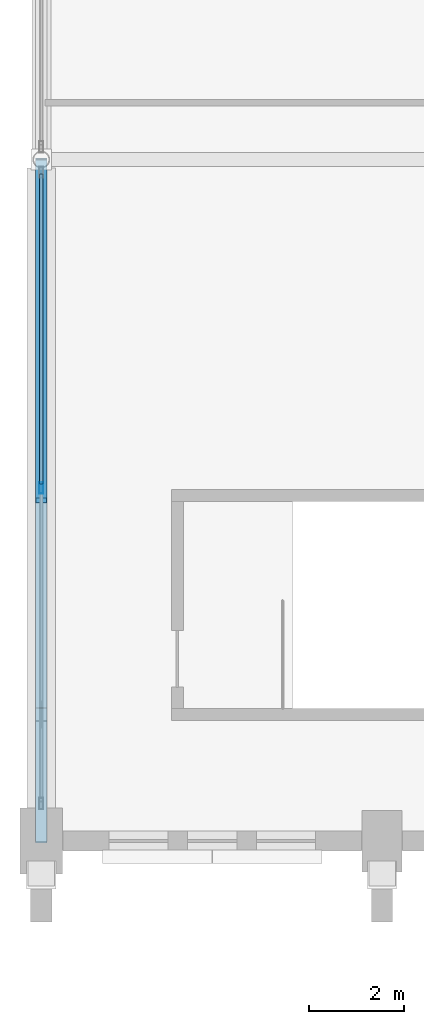
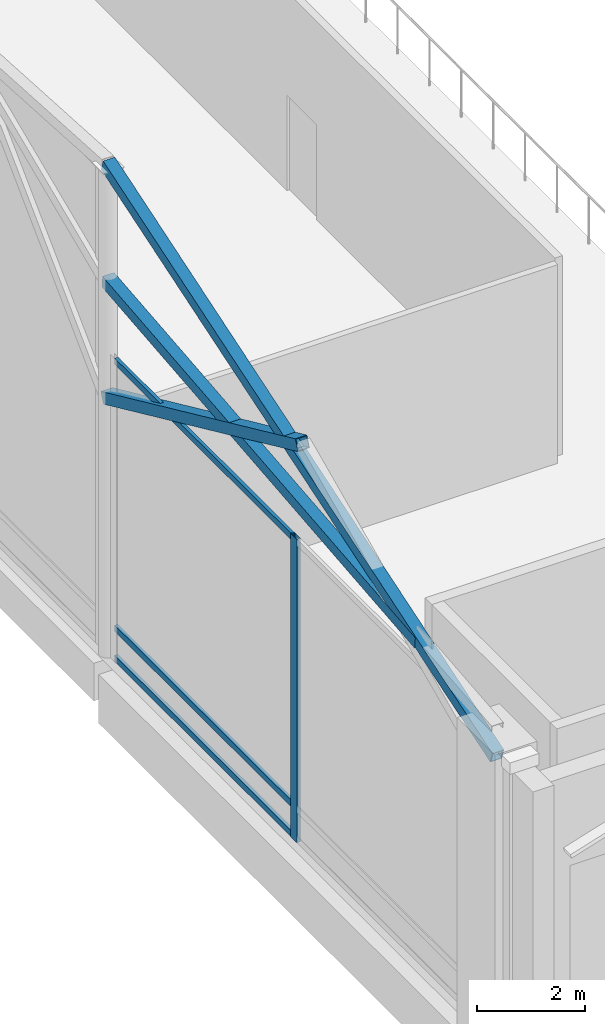
# One storey, part 31 of 220: 7 members, 1 element without a shape of its own.
"""IFC4 building model written with IfcOpenShell, lengths in metres."""

from ifc_helpers import new_model, si_unit, direction, frame, origin, origin_2d, place, context, subcontext, project, spatial, hollow_rectangle, extrude, material, material_profile, profile_set, type_object, element, aggregate, save


model = new_model("IFC4")

# Units and contexts
model_context = context("Model", 3, precision=1e-05, world=origin(), true_north=direction((0.0, 1.0)))
body_context = subcontext(model_context, "Body", "Model", "MODEL_VIEW")
ifc_project = project(units=[si_unit("LENGTHUNIT", "METRE"), si_unit("AREAUNIT", "SQUARE_METRE"), si_unit("VOLUMEUNIT", "CUBIC_METRE"), si_unit("PLANEANGLEUNIT", "RADIAN"), si_unit("MASSUNIT", "GRAM", prefix="KILO")], contexts=[model_context])

# Site, building, storey
site_placement = place(None, origin())
site = spatial("IfcSite", under=ifc_project, at=site_placement, CompositionType="ELEMENT")
building_placement = place(site_placement, origin())
building = spatial("IfcBuilding", under=site, at=building_placement, Name="Cendralis Lancet Convention Centre", CompositionType="ELEMENT")
storey_placement = place(building_placement, frame((0.0, 0.0, 5.39990234375)))
storey = spatial("IfcBuildingStorey", under=building, at=storey_placement, Name="L01", CompositionType="ELEMENT", Elevation=5.39990234375)

# Curtain wall, members
ifc_material_1 = material(Name="Anodised bronze architectural aluminium", Category="aluminium")
curtain_wall_type = type_object("IfcCurtainWallType", Name="ARC-CW-GB02", PredefinedType="USERDEFINED", material=ifc_material_1)
curtain_wall_placement = place(storey_placement, origin())
curtain_wall = element("IfcCurtainWall", 1, at=curtain_wall_placement, inside=storey, type_object=curtain_wall_type, Name="L01 Curtain Wall CW-GB2 #099", ObjectType="CURTAIN WALL", PredefinedType="USERDEFINED")
ifc_material_profile_1 = material_profile(ifc_material_1, hollow_rectangle(XDim=0.080078125, YDim=0.239990234375, WallThickness=0.0048828125, at=origin_2d()), Name="AL-MULL 80x240x5.0")
ifc_profile_set_1 = profile_set([ifc_material_profile_1], Name="Anodised bronze architectural aluminium")
member_type_1 = type_object("IfcMemberType", Name="ARC-CW-ML03", PredefinedType="MULLION", material=ifc_profile_set_1)
member_1_placement = place(storey_placement, frame((0.0, 57.861083984375, 0.0), z_axis=(0.0, 0.0, 1.0), x_axis=(1.0, 0.0, 0.0)))
member_1 = element("IfcMember", 2, at=member_1_placement, type_object=member_type_1, Name="Mullion CW2-CW-GB2-L01-099-M1", PredefinedType="MULLION", context=body_context, shape_type="SweptSolid", body=[
    extrude(hollow_rectangle(XDim=0.080078125, YDim=0.239990234375, WallThickness=0.0048828125, at=origin_2d()), origin(), (0.0, 0.0, 1.0), 6.85009765625),
])
ifc_material_profile_2 = material_profile(ifc_material_1, hollow_rectangle(XDim=0.070068359375, YDim=0.139892578125, WallThickness=0.00390625, at=origin_2d()), Name="AL-TRAN 70x140x4.0")
ifc_profile_set_2 = profile_set([ifc_material_profile_2], Name="Anodised bronze architectural aluminium")
member_type_2 = type_object("IfcMemberType", Name="ARC-CW-TR02", PredefinedType="USERDEFINED", material=ifc_profile_set_2)
member_2_placement = place(storey_placement, frame((0.0, 57.941162109375, 0.070068359375), z_axis=(0.0, 1.0, 0.0), x_axis=(-1.0, 0.0, 0.0)))
member_2 = element("IfcMember", 3, at=member_2_placement, type_object=member_type_2, Name="Transom CW2-CW-GB2-L01-099-T1BOT", ObjectType="TRANSOM", PredefinedType="USERDEFINED", context=body_context, shape_type="SweptSolid", body=[
    extrude(hollow_rectangle(XDim=0.070068359375, YDim=0.139892578125, WallThickness=0.00390625, at=origin_2d()), origin(), (0.0, 0.0, 1.0), 6.551025390625),
])
member_3_placement = place(storey_placement, frame((0.0, 57.941162109375, 0.75), z_axis=(0.0, 1.0, 0.0), x_axis=(-1.0, 0.0, 0.0)))
member_3 = element("IfcMember", 4, at=member_3_placement, type_object=member_type_2, Name="Transom CW2-CW-GB2-L01-099-T1MID", ObjectType="TRANSOM", PredefinedType="USERDEFINED", context=body_context, shape_type="SweptSolid", body=[
    extrude(hollow_rectangle(XDim=0.070068359375, YDim=0.139892578125, WallThickness=0.00390625, at=origin_2d()), origin(), (0.0, 0.0, 1.0), 6.551025390625),
])
member_4_placement = place(storey_placement, frame((0.0, 57.941162109375, 6.780029296875), z_axis=(0.0, 1.0, 0.0), x_axis=(-1.0, 0.0, 0.0)))
member_4 = element("IfcMember", 5, at=member_4_placement, type_object=member_type_2, Name="Transom CW2-CW-GB2-L01-099-T1TOP", ObjectType="TRANSOM", PredefinedType="USERDEFINED", context=body_context, shape_type="SweptSolid", body=[
    extrude(hollow_rectangle(XDim=0.070068359375, YDim=0.139892578125, WallThickness=0.00390625, at=origin_2d()), origin(), (0.0, 0.0, 1.0), 6.551025390625),
])
aggregate(curtain_wall, [member_1, member_2, member_3, member_4])

# Members
ifc_material_2 = material(Name="Steel S355", Category="steel")
ifc_material_profile_3 = material_profile(ifc_material_2, hollow_rectangle(XDim=0.25, YDim=0.25, WallThickness=0.012451171875, at=origin_2d()), Name="SHS 250x250x12.5")
ifc_profile_set_3 = profile_set([ifc_material_profile_3], Name="Steel S355")
member_type_3 = type_object("IfcMemberType", Name="STR-BR-GB01", PredefinedType="BRACE", material=ifc_profile_set_3)
member_5_placement = place(storey_placement, frame((0.0, 64.800048828125, 5.800048828125), z_axis=(0.0, -0.909353179185, 0.416024993848), x_axis=(1.0, 0.0, 0.0)))
element("IfcMember", 6, at=member_5_placement, inside=storey, type_object=member_type_3, Name="Exhibition Gable Gothic Ogival Tracery Rib GBR1 #002", PredefinedType="BRACE", context=body_context, shape_type="SweptSolid", body=[
    extrude(hollow_rectangle(XDim=0.25, YDim=0.25, WallThickness=0.012451171875, at=origin_2d()), origin(), (0.0, 0.0, 1.0), 7.917724609375),
])
member_6_placement = place(storey_placement, frame((0.0, 50.39990234375, 6.400146484375), z_axis=(0.0, 0.951599074854, 0.307342155807), x_axis=(-1.0, 0.0, 0.0)))
element("IfcMember", 7, at=member_6_placement, inside=storey, type_object=member_type_3, Name="Exhibition Gable Gothic Ogival Tracery Rib GBR1 #003", PredefinedType="BRACE", context=body_context, shape_type="SweptSolid", body=[
    extrude(hollow_rectangle(XDim=0.25, YDim=0.25, WallThickness=0.012451171875, at=origin_2d()), origin(), (0.0, 0.0, 1.0), 15.132568359375),
])
member_7_placement = place(storey_placement, frame((0.0, 64.800048828125, 8.425537109375), z_axis=(0.0, -0.995136423863, -0.098506334323), x_axis=(1.0, 0.0, 0.0)))
element("IfcMember", 8, at=member_7_placement, inside=storey, type_object=member_type_3, Name="Exhibition Gable Split X-Brace Rib GBR1 #004", PredefinedType="BRACE", context=body_context, shape_type="SweptSolid", body=[
    extrude(hollow_rectangle(XDim=0.25, YDim=0.25, WallThickness=0.012451171875, at=origin_2d()), origin(), (0.0, 0.0, 1.0), 11.6337890625),
])

save(model, "model.ifc")
